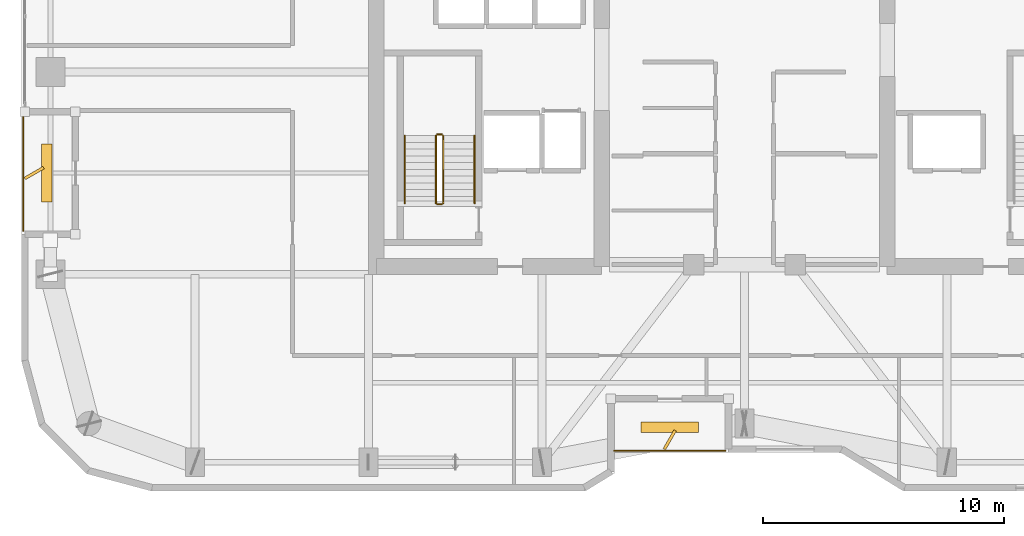
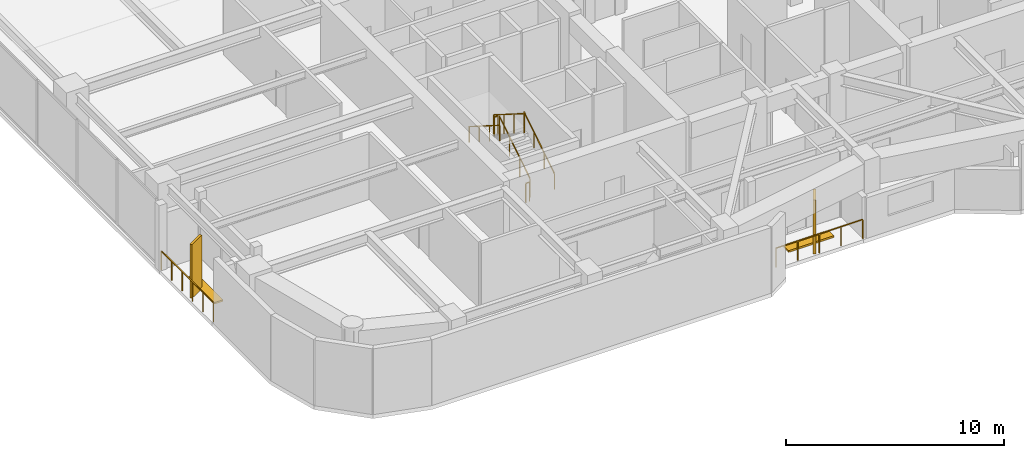
# One storey, part 28 of 30: 8 railings, 4 shading devices.
"""IFC4 building model written with IfcOpenShell, lengths in metres."""

import ifcopenshell
import ifcopenshell.guid

model = None  # the IFC model being written
_history = None  # IfcOwnerHistory: only IFC2X3 demands one
_inside = {}  # id of a spatial element -> (the spatial element, [elements in it])
_under = {}  # id of a project, library or spatial element -> (it, [spatial elements below it])
_declared = {}  # id of a project -> (the project, [libraries it declares])
_typed = {}  # id of a type object -> (the type object, [elements of that type])
_made_of = {}  # id of a material, layer set ... -> (it, [elements and type objects made of it])


def new_model(schema):
    """Start an empty IFC model of exactly this schema.

    Asked for "IFC4X3", IfcOpenShell would pick the latest addendum, in which some entities
    have other attributes; the version numbers below select the first issue.
    IFC2X3 requires an IfcOwnerHistory on every rooted entity: one is made here for all.
    """
    global model, _history
    if schema == "IFC4X3":
        model = ifcopenshell.file(schema_version=(4, 3, 0, 0))
    else:
        model = ifcopenshell.file(schema=schema)
    _inside.clear()
    _under.clear()
    _declared.clear()
    _typed.clear()
    _made_of.clear()
    _history = None
    if model.schema == "IFC2X3":
        org = make("IfcOrganization", Name="unknown")
        user = make(
            "IfcPersonAndOrganization",
            ThePerson=make("IfcPerson", FamilyName="unknown"),
            TheOrganization=org,
        )
        app = make(
            "IfcApplication",
            ApplicationDeveloper=org,
            Version="unknown",
            ApplicationFullName="unknown",
            ApplicationIdentifier="unknown",
        )
        _history = make(
            "IfcOwnerHistory",
            OwningUser=user,
            OwningApplication=app,
            ChangeAction="ADDED",
            CreationDate=0,
        )
    return model


def make(cls, **values):
    """One entity of the class cls with the attributes given. An attribute that is None is left unset."""
    return model.create_entity(
        cls, **{name: value for name, value in values.items() if value is not None}
    )


def rooted(cls, **values):
    """An entity with a GlobalId (a new one), such as an element, a storey or a relation."""
    return make(cls, GlobalId=ifcopenshell.guid.new(), OwnerHistory=_history, **values)


def si_unit(unit_type, name, prefix=None):
    """IfcSIUnit, for example si_unit("LENGTHUNIT", "METRE", prefix="MILLI")."""
    return make("IfcSIUnit", UnitType=unit_type, Prefix=prefix, Name=name)


def assignment(units):
    """IfcUnitAssignment: the units of a project."""
    return None if units is None else make("IfcUnitAssignment", Units=units)


def point(xyz):
    """IfcCartesianPoint."""
    return None if xyz is None else make("IfcCartesianPoint", Coordinates=xyz)


def direction(xyz):
    """IfcDirection."""
    return None if xyz is None else make("IfcDirection", DirectionRatios=xyz)


def frame(location, z_axis=None, x_axis=None):
    """IfcAxis2Placement3D, a coordinate frame: its origin and axes. An axis left out is left unset."""
    return make(
        "IfcAxis2Placement3D",
        Location=point(location),
        Axis=direction(z_axis),
        RefDirection=direction(x_axis),
    )


def frame_2d(location, x_axis=None):
    """IfcAxis2Placement2D, a coordinate frame in the plane: its origin and x axis."""
    return make(
        "IfcAxis2Placement2D", Location=point(location), RefDirection=direction(x_axis)
    )


def origin():
    """The frame at (0, 0, 0) with its axes left unset."""
    return frame((0.0, 0.0, 0.0))


def origin_2d():
    """The frame at (0, 0) in the plane with its x axis left unset."""
    return frame_2d((0.0, 0.0))


def place(relative_to, where):
    """IfcLocalPlacement: puts the frame where relative to a parent placement (None: the world)."""
    return make(
        "IfcLocalPlacement", PlacementRelTo=relative_to, RelativePlacement=where
    )


def context(
    kind, dimensions, precision=None, world=None, true_north=None, identifier=None
):
    """IfcGeometricRepresentationContext, for example the 3D "Model" context."""
    return make(
        "IfcGeometricRepresentationContext",
        ContextIdentifier=identifier,
        ContextType=kind,
        CoordinateSpaceDimension=dimensions,
        Precision=precision,
        WorldCoordinateSystem=world,
        TrueNorth=true_north,
    )


def subcontext(parent, identifier, kind, view, scale=None):
    """IfcGeometricRepresentationSubContext, for example "Body" below "Model"."""
    return make(
        "IfcGeometricRepresentationSubContext",
        ContextIdentifier=identifier,
        ContextType=kind,
        ParentContext=parent,
        TargetScale=scale,
        TargetView=view,
    )


def project(units=None, contexts=None):
    """IfcProject with its units and contexts."""
    return rooted(
        "IfcProject",
        Name="project",
        RepresentationContexts=contexts,
        UnitsInContext=assignment(units),
    )


def spatial(cls, under=None, at=None, **own):
    """A site, building, storey or space (cls), placed at a placement, below another one or the project."""
    s = rooted(cls, ObjectPlacement=at, **own)
    if under is not None:
        _under.setdefault(under.id(), (under, []))[1].append(s)
    return s


def profile(cls, at=None, kind="AREA", **sizes):
    """A parametric profile (cls). Its sizes go by their IFC names, for example OverallWidth=200.0."""
    return make(cls, ProfileType=kind, Position=at, **sizes)


def rectangle(**sizes):
    """IfcRectangleProfileDef."""
    return profile("IfcRectangleProfileDef", **sizes)


def extrude(swept, where, along, depth):
    """IfcExtrudedAreaSolid: the profile swept, set in the frame where, extruded along a direction by depth."""
    return make(
        "IfcExtrudedAreaSolid",
        SweptArea=swept,
        Position=where,
        ExtrudedDirection=direction(along),
        Depth=depth,
    )


def shape(context_of_items, identifier, shape_type, items):
    """IfcShapeRepresentation: the items that make up one representation, for example the "Body"."""
    return make(
        "IfcShapeRepresentation",
        ContextOfItems=context_of_items,
        RepresentationIdentifier=identifier,
        RepresentationType=shape_type,
        Items=items,
    )


def material(Name=None, Category=None):
    """IfcMaterial."""
    return make("IfcMaterial", Name=Name, Category=Category)


def made_of(thing, what):
    """Note that an element or type object is made of a material, layer set ...; save() writes the relation."""
    if what is not None:
        _made_of.setdefault(what.id(), (what, []))[1].append(thing)
    return thing


def type_object(cls, material=None, **own):
    """A type object (cls), such as IfcWallType, which elements share."""
    return made_of(rooted(cls, **own), material)


def element(
    cls,
    number,
    at=None,
    inside=None,
    cuts=None,
    type_object=None,
    material=None,
    context=None,
    identifier="Body",
    shape_type=None,
    held_by="IfcProductDefinitionShape",
    body=None,
    shapes=None,
    **own,
):
    """One element of the class cls, such as IfcWall. Its Tag is "e" and its number.

    at: its placement. inside: the storey or other place that contains it. cuts: it is an
    opening in that element (IfcRelVoidsElement). A single representation is given by context,
    identifier, shape_type and body (its items); several are given by shapes. held_by: the class
    of the entity that holds the representations. save() writes the other relations.
    """
    e = rooted(cls, Tag="e%d" % number, ObjectPlacement=at, **own)
    if body is not None:
        shapes = [shape(context, identifier, shape_type, body)]
    if shapes is not None:
        e.Representation = make(held_by, Representations=shapes)
    if inside is not None:
        _inside.setdefault(inside.id(), (inside, []))[1].append(e)
    if cuts is not None:
        rooted(
            "IfcRelVoidsElement", RelatingBuildingElement=cuts, RelatedOpeningElement=e
        )
    if type_object is not None:
        _typed.setdefault(type_object.id(), (type_object, []))[1].append(e)
    return made_of(e, material)


def aggregate(whole, parts):
    """IfcRelAggregates: a whole, such as a stair, and the parts it consists of."""
    return rooted("IfcRelAggregates", RelatingObject=whole, RelatedObjects=parts)


def save(model, path):
    """Write the relations noted so far, then the file.

    IfcRelAggregates (storeys below a building ...), IfcRelContainedInSpatialStructure (elements
    in a storey), IfcRelDefinesByType, IfcRelAssociatesMaterial and IfcRelDeclares: one each for
    every whole, place, type object, material and project.
    """
    for whole, parts in _under.values():
        aggregate(whole, parts)
    for where, things in _inside.values():
        rooted(
            "IfcRelContainedInSpatialStructure",
            RelatedElements=things,
            RelatingStructure=where,
        )
    for kind, things in _typed.values():
        rooted("IfcRelDefinesByType", RelatedObjects=things, RelatingType=kind)
    for what, things in _made_of.values():
        rooted("IfcRelAssociatesMaterial", RelatedObjects=things, RelatingMaterial=what)
    for by, libraries in _declared.values():
        rooted("IfcRelDeclares", RelatingContext=by, RelatedDefinitions=libraries)
    model.write(path)


model = new_model("IFC4")

# Units and contexts
model_context = context("Model", 3, precision=1e-05, world=origin(), true_north=direction((0.0, 1.0)))
body_context = subcontext(model_context, "Body", "Model", "MODEL_VIEW")
ifc_project = project(units=[si_unit("LENGTHUNIT", "METRE"), si_unit("AREAUNIT", "SQUARE_METRE"), si_unit("VOLUMEUNIT", "CUBIC_METRE"), si_unit("PLANEANGLEUNIT", "RADIAN"), si_unit("MASSUNIT", "GRAM", prefix="KILO")], contexts=[model_context])

# Site, building, storey
site_placement = place(None, origin())
site = spatial("IfcSite", under=ifc_project, at=site_placement, CompositionType="ELEMENT")
building_placement = place(site_placement, origin())
building = spatial("IfcBuilding", under=site, at=building_placement, Name="Kiyonajd Concourse Tower", CompositionType="ELEMENT")
storey_placement = place(building_placement, frame((0.0, 0.0, 190.199951171875)))
storey = spatial("IfcBuildingStorey", under=building, at=storey_placement, Name="L48", CompositionType="ELEMENT", Elevation=190.199951171875)

# Railings
ifc_material_1 = material(Name="Thermally Broken Anodised Aluminium", Category="aluminium")
railing_type_1 = type_object("IfcRailingType", Name="RL-GRD-LOG", PredefinedType="GUARDRAIL", material=ifc_material_1)
railing_1_placement = place(storey_placement, frame((42.60009765625, 20.280029296875, 0.0)))
element("IfcRailing", 1, at=railing_1_placement, inside=storey, type_object=railing_type_1, Name="L48 Engawa Loggia Perimeter Guard LOG-S", PredefinedType="GUARDRAIL", context=body_context, shape_type="SweptSolid", body=[
    extrude(rectangle(XDim=0.048095703125, YDim=0.048095703125, at=origin_2d()), frame((0.0, 0.0, 1.076171875), z_axis=(1.0, 0.0, 0.0), x_axis=(0.0, 1.0, 0.0)), (0.0, 0.0, 1.0), 4.599853515625),
    extrude(rectangle(XDim=0.0419921875, YDim=0.0419921875, at=origin_2d()), origin(), (0.0, 0.0, 1.0), 1.052001953125),
    extrude(rectangle(XDim=0.0419921875, YDim=0.0419921875, at=origin_2d()), frame((1.14990234375, 0.0, 0.0)), (0.0, 0.0, 1.0), 1.052001953125),
    extrude(rectangle(XDim=0.0419921875, YDim=0.0419921875, at=origin_2d()), frame((2.2998046875, 0.0, 0.0)), (0.0, 0.0, 1.0), 1.052001953125),
    extrude(rectangle(XDim=0.0419921875, YDim=0.0419921875, at=origin_2d()), frame((3.449951171875, 0.0, 0.0)), (0.0, 0.0, 1.0), 1.052001953125),
    extrude(rectangle(XDim=0.0419921875, YDim=0.0419921875, at=origin_2d()), frame((4.599853515625, 0.0, 0.0)), (0.0, 0.0, 1.0), 1.052001953125),
])
railing_2_placement = place(storey_placement, frame((18.080078125, 34.199951171875, 0.0)))
element("IfcRailing", 2, at=railing_2_placement, inside=storey, type_object=railing_type_1, Name="L48 Engawa Loggia Perimeter Guard LOG-W", PredefinedType="GUARDRAIL", context=body_context, shape_type="SweptSolid", body=[
    extrude(rectangle(XDim=0.048095703125, YDim=0.048095703125, at=origin_2d()), frame((0.0, 0.0, 1.076171875), z_axis=(0.0, -1.0, 0.0), x_axis=(1.0, 0.0, 0.0)), (0.0, 0.0, 1.0), 4.800048828125),
    extrude(rectangle(XDim=0.0419921875, YDim=0.0419921875, at=origin_2d()), origin(), (0.0, 0.0, 1.0), 1.052001953125),
    extrude(rectangle(XDim=0.0419921875, YDim=0.0419921875, at=origin_2d()), frame((0.0, -0.9599609375, 0.0)), (0.0, 0.0, 1.0), 1.052001953125),
    extrude(rectangle(XDim=0.0419921875, YDim=0.0419921875, at=origin_2d()), frame((0.0, -1.919921875, 0.0)), (0.0, 0.0, 1.0), 1.052001953125),
    extrude(rectangle(XDim=0.0419921875, YDim=0.0419921875, at=origin_2d()), frame((0.0, -2.880126953125, 0.0)), (0.0, 0.0, 1.0), 1.052001953125),
    extrude(rectangle(XDim=0.0419921875, YDim=0.0419921875, at=origin_2d()), frame((0.0, -3.840087890625, 0.0)), (0.0, 0.0, 1.0), 1.052001953125),
    extrude(rectangle(XDim=0.0419921875, YDim=0.0419921875, at=origin_2d()), frame((0.0, -4.800048828125, 0.0)), (0.0, 0.0, 1.0), 1.052001953125),
])
ifc_material_2 = material(Name="Steel ASTM A500 Grade C", Category="steel")
railing_type_2 = type_object("IfcRailingType", Name="RL-GRD-STR", PredefinedType="GUARDRAIL", material=ifc_material_2)
railing_3_placement = place(storey_placement, frame((35.5, 30.550048828125, 0.17724609375)))
element("IfcRailing", 3, at=railing_3_placement, inside=storey, type_object=railing_type_2, Name="L48 ST1 stair guard 1", PredefinedType="GUARDRAIL", context=body_context, shape_type="SweptSolid", body=[
    extrude(rectangle(XDim=0.048095703125, YDim=0.048095703125, at=origin_2d()), frame((0.0, 0.0, 1.076171875), z_axis=(0.0, 0.844908973607, 0.534910110503), x_axis=(-1.0, 0.0, 0.0)), (0.0, 0.0, 1.0), 3.31396484375),
    extrude(rectangle(XDim=0.0419921875, YDim=0.0419921875, at=origin_2d()), origin(), (0.0, 0.0, 1.0), 1.052001953125),
    extrude(rectangle(XDim=0.0419921875, YDim=0.0419921875, at=origin_2d()), frame((0.0, 0.933349609375, 0.5908203125)), (0.0, 0.0, 1.0), 1.052001953125),
    extrude(rectangle(XDim=0.0419921875, YDim=0.0419921875, at=origin_2d()), frame((0.0, 1.86669921875, 1.181884765625)), (0.0, 0.0, 1.0), 1.052001953125),
    extrude(rectangle(XDim=0.0419921875, YDim=0.0419921875, at=origin_2d()), frame((0.0, 2.800048828125, 1.772705078125)), (0.0, 0.0, 1.0), 1.052001953125),
])
railing_4_placement = place(storey_placement, frame((35.449951171875, 33.39990234375, 1.949951171875)))
element("IfcRailing", 4, at=railing_4_placement, inside=storey, type_object=railing_type_2, Name="L48 ST1 stair guard 2", PredefinedType="GUARDRAIL", context=body_context, shape_type="SweptSolid", body=[
    extrude(rectangle(XDim=0.048095703125, YDim=0.048095703125, at=origin_2d()), frame((0.0, 0.0, 1.076171875), z_axis=(-1.0, 0.0, 0.0), x_axis=(0.0, -1.0, 0.0)), (0.0, 0.0, 1.0), 0.199951171875),
    extrude(rectangle(XDim=0.0419921875, YDim=0.0419921875, at=origin_2d()), origin(), (0.0, 0.0, 1.0), 1.052001953125),
    extrude(rectangle(XDim=0.0419921875, YDim=0.0419921875, at=origin_2d()), frame((-0.199951171875, 0.0, 0.0)), (0.0, 0.0, 1.0), 1.052001953125),
])
railing_5_placement = place(storey_placement, frame((35.199951171875, 33.35009765625, 2.12744140625)))
element("IfcRailing", 5, at=railing_5_placement, inside=storey, type_object=railing_type_2, Name="L48 ST1 stair guard 3", PredefinedType="GUARDRAIL", context=body_context, shape_type="SweptSolid", body=[
    extrude(rectangle(XDim=0.048095703125, YDim=0.048095703125, at=origin_2d()), frame((0.0, 0.0, 1.076171875), z_axis=(0.0, -0.844908973607, 0.534910110503), x_axis=(1.0, 0.0, 0.0)), (0.0, 0.0, 1.0), 3.31396484375),
    extrude(rectangle(XDim=0.0419921875, YDim=0.0419921875, at=origin_2d()), origin(), (0.0, 0.0, 1.0), 1.052001953125),
    extrude(rectangle(XDim=0.0419921875, YDim=0.0419921875, at=origin_2d()), frame((0.0, -0.933349609375, 0.5908203125)), (0.0, 0.0, 1.0), 1.052001953125),
    extrude(rectangle(XDim=0.0419921875, YDim=0.0419921875, at=origin_2d()), frame((0.0, -1.86669921875, 1.181884765625)), (0.0, 0.0, 1.0), 1.052001953125),
    extrude(rectangle(XDim=0.0419921875, YDim=0.0419921875, at=origin_2d()), frame((0.0, -2.800048828125, 1.772705078125)), (0.0, 0.0, 1.0), 1.052001953125),
])
railing_6_placement = place(storey_placement, frame((35.449951171875, 30.5, 0.0)))
element("IfcRailing", 6, at=railing_6_placement, inside=storey, type_object=railing_type_2, Name="L48 ST1 stair guard 4", PredefinedType="GUARDRAIL", context=body_context, shape_type="SweptSolid", body=[
    extrude(rectangle(XDim=0.048095703125, YDim=0.048095703125, at=origin_2d()), frame((0.0, 0.0, 1.076171875), z_axis=(-1.0, 0.0, 0.0), x_axis=(0.0, -1.0, 0.0)), (0.0, 0.0, 1.0), 0.199951171875),
    extrude(rectangle(XDim=0.0419921875, YDim=0.0419921875, at=origin_2d()), origin(), (0.0, 0.0, 1.0), 1.052001953125),
    extrude(rectangle(XDim=0.0419921875, YDim=0.0419921875, at=origin_2d()), frame((-0.199951171875, 0.0, 0.0)), (0.0, 0.0, 1.0), 1.052001953125),
])
ifc_material_3 = material(Name="Brushed Stainless Steel Cab Assembly", Category="steel")
railing_type_3 = type_object("IfcRailingType", Name="RL-HND-900", PredefinedType="HANDRAIL", material=ifc_material_3)
railing_7_placement = place(storey_placement, frame((36.800048828125, 30.550048828125, 0.17724609375)))
element("IfcRailing", 7, at=railing_7_placement, inside=storey, type_object=railing_type_3, Name="L48 ST1 stair handrail 1", PredefinedType="HANDRAIL", context=body_context, shape_type="SweptSolid", body=[
    extrude(rectangle(XDim=0.048095703125, YDim=0.048095703125, at=origin_2d()), frame((0.0, 0.0, 0.8759765625), z_axis=(0.0, 0.844908973607, 0.534910110503), x_axis=(-1.0, 0.0, 0.0)), (0.0, 0.0, 1.0), 3.31396484375),
    extrude(rectangle(XDim=0.0419921875, YDim=0.0419921875, at=origin_2d()), origin(), (0.0, 0.0, 1.0), 0.851806640625),
    extrude(rectangle(XDim=0.0419921875, YDim=0.0419921875, at=origin_2d()), frame((0.0, 0.933349609375, 0.5908203125)), (0.0, 0.0, 1.0), 0.851806640625),
    extrude(rectangle(XDim=0.0419921875, YDim=0.0419921875, at=origin_2d()), frame((0.0, 1.86669921875, 1.181884765625)), (0.0, 0.0, 1.0), 0.851806640625),
    extrude(rectangle(XDim=0.0419921875, YDim=0.0419921875, at=origin_2d()), frame((0.0, 2.800048828125, 1.772705078125)), (0.0, 0.0, 1.0), 0.851806640625),
])
railing_8_placement = place(storey_placement, frame((33.89990234375, 33.35009765625, 2.12744140625)))
element("IfcRailing", 8, at=railing_8_placement, inside=storey, type_object=railing_type_3, Name="L48 ST1 stair handrail 2", PredefinedType="HANDRAIL", context=body_context, shape_type="SweptSolid", body=[
    extrude(rectangle(XDim=0.048095703125, YDim=0.048095703125, at=origin_2d()), frame((0.0, 0.0, 0.8759765625), z_axis=(0.0, -0.844908973607, 0.534910110503), x_axis=(1.0, 0.0, 0.0)), (0.0, 0.0, 1.0), 3.31396484375),
    extrude(rectangle(XDim=0.0419921875, YDim=0.0419921875, at=origin_2d()), origin(), (0.0, 0.0, 1.0), 0.851806640625),
    extrude(rectangle(XDim=0.0419921875, YDim=0.0419921875, at=origin_2d()), frame((0.0, -0.933349609375, 0.5908203125)), (0.0, 0.0, 1.0), 0.851806640625),
    extrude(rectangle(XDim=0.0419921875, YDim=0.0419921875, at=origin_2d()), frame((0.0, -1.86669921875, 1.181884765625)), (0.0, 0.0, 1.0), 0.851806640625),
    extrude(rectangle(XDim=0.0419921875, YDim=0.0419921875, at=origin_2d()), frame((0.0, -2.800048828125, 1.772705078125)), (0.0, 0.0, 1.0), 0.851806640625),
])

# Shading devices
ifc_material_4 = material(Name="Precast concrete C50/60", Category="concrete")
shading_device_type_1 = type_object("IfcShadingDeviceType", Name="SH-FIN-900", PredefinedType="USERDEFINED", material=ifc_material_4)
for number, where, z_axis, x_axis, name in (
    (9, (44.89990234375, 20.72998046875, 0.0), (0.0, 0.0, 1.0), (0.5, 0.866025403784, 0.0), "L48 Angled Koshi Solar Fin LOG-S"),
    (10, (18.530029296875, 31.800048828125, 0.0), (0.0, 0.0, 1.0), (0.866025403784, 0.5, 0.0), "L48 Angled Koshi Solar Fin LOG-W"),
):
    element("IfcShadingDevice", number, at=place(storey_placement, frame(where, z_axis=z_axis, x_axis=x_axis)), inside=storey, type_object=shading_device_type_1, Name=name, ObjectType="FIN", PredefinedType="USERDEFINED", context=body_context, shape_type="SweptSolid", body=[
        extrude(rectangle(XDim=0.89990234375, YDim=0.1201171875, at=origin_2d()), origin(), (0.0, 0.0, 1.0), 3.0),
    ])
shading_device_type_2 = type_object("IfcShadingDeviceType", Name="SH-LVR-600", PredefinedType="JALOUSIE", material=ifc_material_1)
for number, where, z_axis, x_axis, name in (
    (11, (44.89990234375, 21.25, 0.0), (0.0, 0.0, 1.0), (1.0, 0.0, 0.0), "L48 Loggia Threshold Louver LOG-S"),
    (12, (19.050048828125, 31.800048828125, 0.0), (0.0, 0.0, 1.0), (0.0, 1.0, 0.0), "L48 Loggia Threshold Louver LOG-W"),
):
    element("IfcShadingDevice", number, at=place(storey_placement, frame(where, z_axis=z_axis, x_axis=x_axis)), inside=storey, type_object=shading_device_type_2, Name=name, PredefinedType="JALOUSIE", context=body_context, shape_type="SweptSolid", body=[
        extrude(rectangle(XDim=2.39990234375, YDim=0.449951171875, at=origin_2d()), origin(), (0.0, 0.0, 1.0), 0.10009765625),
    ])

save(model, "model.ifc")
